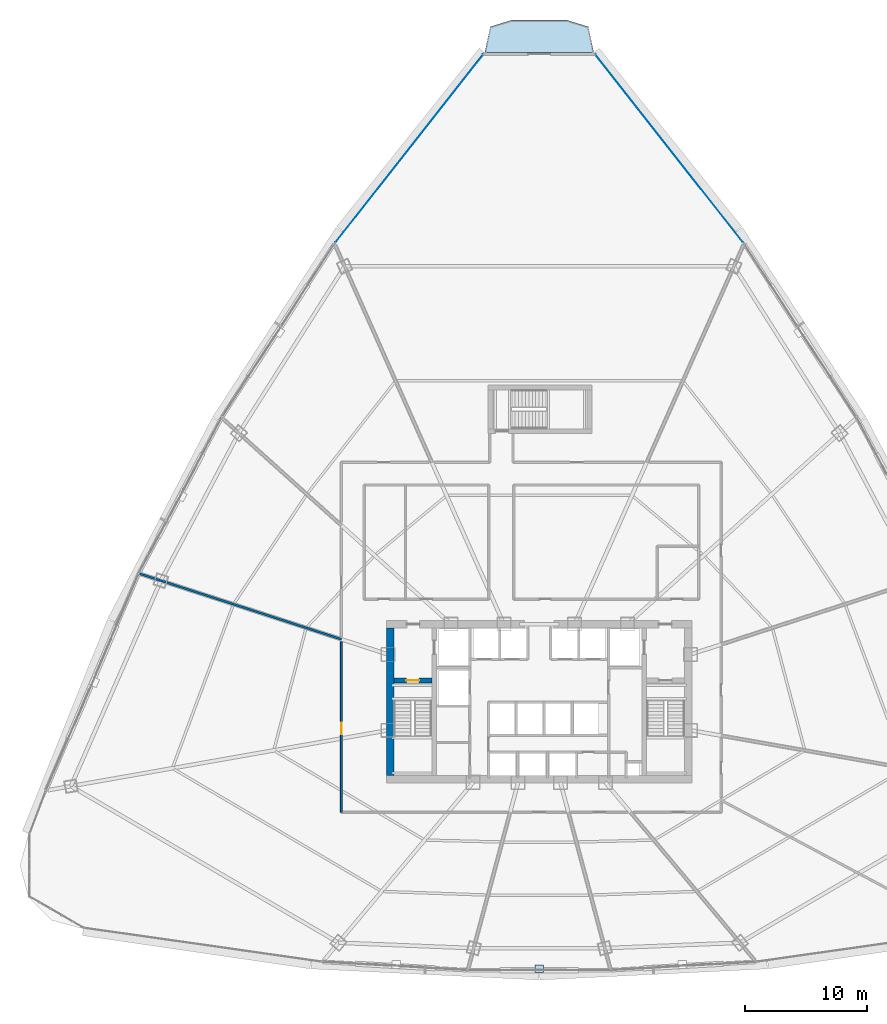
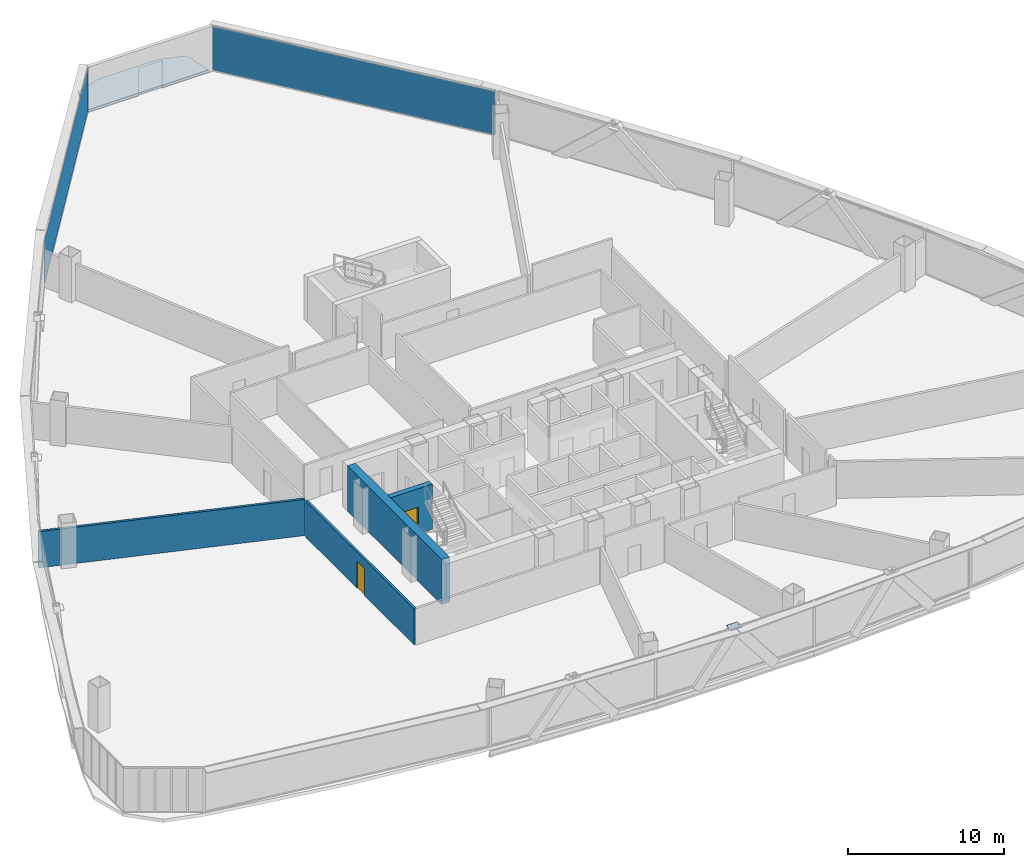
# One storey, part 31 of 39: 4 walls, 3 plates, 2 doors, 1 slab, 2 openings, 2 elements without a shape of their own.
"""IFC4 building model written with IfcOpenShell, lengths in metres."""

from ifc_helpers import new_model, si_unit, direction, frame, frame_2d, origin, origin_with_axes, origin_2d, place, context, subcontext, project, spatial, polyline, rectangle, outline, extrude, source, transform, mapped, material, layer, layer_set, type_object, element, fill, aggregate, save


model = new_model("IFC4")

# Units and contexts
model_context = context("Model", 3, precision=1e-05, world=origin(), true_north=direction((0.0, 1.0)))
body_context = subcontext(model_context, "Body", "Model", "MODEL_VIEW")
ifc_project = project(units=[si_unit("LENGTHUNIT", "METRE"), si_unit("AREAUNIT", "SQUARE_METRE"), si_unit("VOLUMEUNIT", "CUBIC_METRE"), si_unit("PLANEANGLEUNIT", "RADIAN"), si_unit("MASSUNIT", "GRAM", prefix="KILO"), si_unit("THERMODYNAMICTEMPERATUREUNIT", "KELVIN"), si_unit("POWERUNIT", "WATT")], contexts=[model_context])

# Site, building, storey
site_placement = place(None, origin())
site = spatial("IfcSite", under=ifc_project, at=site_placement, CompositionType="ELEMENT")
building_placement = place(site_placement, origin())
building = spatial("IfcBuilding", under=site, at=building_placement, Name="Yunzhuo Pagoda Commons", CompositionType="ELEMENT")
storey_placement = place(building_placement, frame((0.0, 0.0, 100.179931640625)))
storey = spatial("IfcBuildingStorey", under=building, at=storey_placement, Name="L25", CompositionType="ELEMENT", Elevation=100.179931640625)

# Slab
ifc_material_1 = material(Name="Concrete C40", Category="concrete")
ifc_layer_1 = layer(ifc_material_1, 0.199951171875)
ifc_layer_set_1 = layer_set([ifc_layer_1], Name="Concrete C40")
slab_type = type_object("IfcSlabType", Name="SL-BAL Vertex Balcony Deck Slab 200", PredefinedType="FLOOR", material=ifc_layer_set_1)
slab_placement = place(storey_placement, frame((0.0, 0.0, -0.199951171875)))
element("IfcSlab", 1, at=slab_placement, inside=storey, type_object=slab_type, Name="L25 corner balcony V3", PredefinedType="FLOOR", context=body_context, shape_type="SweptSolid", body=[
    extrude(outline(polyline([(52.46240234375, 87.039794921875), (43.53759765625, 87.039794921875), (43.987548828125, 89.134765625), (45.768798828125, 89.684814453125), (50.231201171875, 89.684814453125), (52.012451171875, 89.134765625), (52.46240234375, 87.039794921875)])), origin(), (0.0, 0.0, 1.0), 0.199951171875),
])

# Plate
ifc_material_2 = material(Name="Structural steel Q355B", Category="steel")
ifc_layer_2 = layer(ifc_material_2, 0.028076171875)
ifc_layer_set_2 = layer_set([ifc_layer_2], Name="Structural steel Q355B")
plate_type_1 = type_object("IfcPlateType", Name="SP-ND1 Lattice Node Cap Plate 800x500x28", PredefinedType="USERDEFINED", material=ifc_layer_set_2)
shared_shape_1 = source(origin(), body_context, "Body", "SweptSolid", [
    extrude(rectangle(XDim=0.699951171875, YDim=0.61376953125, at=origin_2d()), origin(), (0.0, 0.0, 1.0), 0.035888671875),
])
plate_1_placement = place(storey_placement, frame((48.0, 11.99609375, 3.501953125), z_axis=(0.0, 0.0, 1.0), x_axis=(1.0, 0.0, 0.0)))
element("IfcPlate", 2, at=plate_1_placement, inside=storey, type_object=plate_type_1, Name="L25 setback lattice tie plate F1.2L", ObjectType="STIFFENER_PLATE", PredefinedType="USERDEFINED", context=body_context, shape_type="MappedRepresentation", body=[
    mapped(shared_shape_1, transform((0.0, 0.0, 0.0), scale=1.0)),
])

# Curtain wall, plate
ifc_material_3 = material(Name="Anodized aluminium 6063-T6", Category="aluminium")
ifc_layer_3 = layer(ifc_material_3, 0.1650390625)
ifc_layer_set_3 = layer_set([ifc_layer_3], Name="Anodized aluminium 6063-T6")
curtain_wall_type = type_object("IfcCurtainWallType", Name="CW-LOW Low-Zone Ribbon Curtain Wall", PredefinedType="NOTDEFINED", material=ifc_layer_set_3)
curtain_wall_1_placement = place(storey_placement, origin())
curtain_wall_1 = element("IfcCurtainWall", 3, at=curtain_wall_1_placement, inside=storey, type_object=curtain_wall_type, Name="L25 curtain wall CW-L25-F2B5", PredefinedType="NOTDEFINED")
ifc_material_4 = material(Name="Tempered low-e double glazing", Category="glass")
ifc_layer_4 = layer(ifc_material_4, 0.028076171875)
ifc_layer_set_4 = layer_set([ifc_layer_4], Name="Tempered low-e double glazing")
plate_type_2 = type_object("IfcPlateType", Name="CW-LOW-P Low-E Double Glazing 28", PredefinedType="CURTAIN_PANEL", material=ifc_layer_set_4)
shared_shape_2 = source(origin(), body_context, "Body", "SweptSolid", [
    extrude(rectangle(XDim=19.558349609375, YDim=0.028076171875, at=origin_2d()), origin(), (0.0, 0.0, 1.0), 3.419921875),
])
plate_2_placement = place(storey_placement, frame((58.640625, 79.1650390625, 0.06005859375), z_axis=(0.0, 0.0, 1.0), x_axis=(-0.617953216301, 0.786214870416, 0.0)))
plate_2 = element("IfcPlate", 4, at=plate_2_placement, type_object=plate_type_2, Name="CW panel 1.1", PredefinedType="CURTAIN_PANEL", context=body_context, shape_type="MappedRepresentation", body=[
    mapped(shared_shape_2, transform((0.0, 0.0, 0.0), scale=1.0)),
])
aggregate(curtain_wall_1, [plate_2])

curtain_wall_2_placement = place(storey_placement, origin())
curtain_wall_2 = element("IfcCurtainWall", 5, at=curtain_wall_2_placement, inside=storey, type_object=curtain_wall_type, Name="L25 curtain wall CW-L25-F3B1", PredefinedType="NOTDEFINED")
plate_3_placement = place(storey_placement, frame((37.359375, 79.1650390625, 0.06005859375), z_axis=(0.0, 0.0, 1.0), x_axis=(-0.617953216301, -0.786214870416, 0.0)))
plate_3 = element("IfcPlate", 6, at=plate_3_placement, type_object=plate_type_2, Name="CW panel 1.1", PredefinedType="CURTAIN_PANEL", context=body_context, shape_type="MappedRepresentation", body=[
    mapped(shared_shape_2, transform((0.0, 0.0, 0.0), scale=1.0)),
])
aggregate(curtain_wall_2, [plate_3])

# Wall
ifc_material_5 = material(Name="Concrete C60", Category="concrete")
ifc_layer_5 = layer(ifc_material_5, 0.60009765625)
ifc_layer_set_5 = layer_set([ifc_layer_5], Name="Concrete C60")
wall_type_1 = type_object("IfcWallType", Name="W-C02 Mid Core Shear Wall 600", PredefinedType="SHEAR", material=ifc_layer_set_5)
wall_1_placement = place(storey_placement, frame((35.800048828125, 27.800048828125, 0.0), z_axis=(0.0, 0.0, 1.0), x_axis=(0.0, 1.0, 0.0)))
element("IfcWall", 7, at=wall_1_placement, inside=storey, type_object=wall_type_1, Name="L25 core shear wall W", PredefinedType="SHEAR", context=body_context, shape_type="SweptSolid", body=[
    extrude(rectangle(XDim=12.099853515625, YDim=0.60009765625, at=frame_2d((6.0498046875, 0.0))), origin(), (0.0, 0.0, 1.0), 3.5400390625),
])

# Wall, opening, door
ifc_material_6 = material(Name="Gypsum plasterboard on acoustic stud")
ifc_layer_6 = layer(ifc_material_6, 0.159912109375)
ifc_layer_set_6 = layer_set([ifc_layer_6], Name="Gypsum plasterboard on acoustic stud")
wall_type_2 = type_object("IfcWallType", Name="W-COR1 Tower Rated Corridor Wall 160", PredefinedType="PARTITIONING", material=ifc_layer_set_6)
wall_2_placement = place(storey_placement, frame((31.800048828125, 24.800048828125, 0.0), z_axis=(0.0, 0.0, 1.0), x_axis=(0.0, 1.0, 0.0)))
wall_2 = element("IfcWall", 8, at=wall_2_placement, inside=storey, type_object=wall_type_2, Name="L25 interior wall IW-L25-CWL01", PredefinedType="PARTITIONING", context=body_context, shape_type="SweptSolid", body=[
    extrude(rectangle(XDim=13.94384765625, YDim=0.159912109375, at=frame_2d((6.971923828125, 0.0))), origin(), (0.0, 0.0, 1.0), 2.840087890625),
])
opening_1_placement = place(wall_2_placement, frame((6.376953125, 0.0, 0.0)))
opening_1 = element("IfcOpeningElement", 9, at=opening_1_placement, cuts=wall_2, Name="Opening D-06", PredefinedType="OPENING", context=body_context, shape_type="SweptSolid", body=[
    extrude(rectangle(XDim=0.949951171875, YDim=2.10009765625, at=frame_2d((0.47509765625, 1.050048828125))), frame((0.0, 0.08984375, 0.0), z_axis=(0.0, -1.0, 0.0), x_axis=(1.0, 0.0, 0.0)), (0.0, 0.0, 1.0), 0.179931640625),
])
ifc_material_7 = material(Name="Galvanized fire-resisting metal leaf")
door_type_1 = type_object("IfcDoorType", Name="D-06 Co-Living Suite Entrance Fire Door 950x2100", OperationType="NOTDEFINED", PredefinedType="DOOR", material=ifc_material_7)
shared_shape_3 = source(origin(), body_context, "Body", "SweptSolid", [
    extrude(rectangle(XDim=0.949951171875, YDim=2.10009765625, at=frame_2d((0.47509765625, 1.050048828125))), frame((0.0, 0.02490234375, 0.0), z_axis=(0.0, -1.0, 0.0), x_axis=(1.0, 0.0, 0.0)), (0.0, 0.0, 1.0), 0.050048828125),
])
door_1_placement = place(opening_1_placement, origin_with_axes())
door_1 = element("IfcDoor", 10, at=door_1_placement, inside=storey, type_object=door_type_1, Name="L25 Resident Co-Living Commons Hall door", OperationType="SINGLE_SWING_LEFT", OverallHeight=2.10009765625, OverallWidth=0.949951171875, PredefinedType="DOOR", context=body_context, shape_type="MappedRepresentation", body=[
    mapped(shared_shape_3, transform((0.0, 0.0, 0.0), scale=1.0)),
])
fill(opening_1, door_1)

# Wall
ifc_layer_7 = layer(ifc_material_6, 0.179931640625)
ifc_layer_set_7 = layer_set([ifc_layer_7], Name="Gypsum plasterboard on acoustic stud")
wall_type_3 = type_object("IfcWallType", Name="W-PRT2 Acoustic Unit Demising Wall 180", PredefinedType="PARTITIONING", material=ifc_layer_set_7)
wall_3_placement = place(storey_placement, frame((31.800048828125, 38.963623046875, 0.0), z_axis=(0.0, 0.0, 1.0), x_axis=(-0.951055348694, 0.309020587857, 0.0)))
element("IfcWall", 11, at=wall_3_placement, inside=storey, type_object=wall_type_3, Name="L25 interior wall IW-L25-RAD05", PredefinedType="PARTITIONING", context=body_context, shape_type="SweptSolid", body=[
    extrude(rectangle(XDim=17.450439453125, YDim=0.179931640625, at=frame_2d((8.72509765625, 0.0))), origin(), (0.0, 0.0, 1.0), 2.840087890625),
])

# Wall, opening, door
ifc_layer_8 = layer(ifc_material_5, 0.39990234375)
ifc_layer_set_8 = layer_set([ifc_layer_8], Name="Concrete C60")
wall_type_4 = type_object("IfcWallType", Name="W-S01 Internal Core Shear Web 400", PredefinedType="SHEAR", material=ifc_layer_set_8)
wall_4_placement = place(storey_placement, frame((36.10009765625, 35.60009765625, 0.0), z_axis=(0.0, 0.0, 1.0), x_axis=(1.0, 0.0, 0.0)))
wall_4 = element("IfcWall", 12, at=wall_4_placement, inside=storey, type_object=wall_type_4, Name="L25 core shear wall STW", PredefinedType="SHEAR", context=body_context, shape_type="SweptSolid", body=[
    extrude(rectangle(XDim=3.099853515625, YDim=0.39990234375, at=frame_2d((1.5498046875, 0.0))), origin(), (0.0, 0.0, 1.0), 3.5400390625),
])
opening_2_placement = place(wall_4_placement, frame((1.02001953125, 0.0, 0.0)))
opening_2 = element("IfcOpeningElement", 13, at=opening_2_placement, cuts=wall_4, Name="Opening D-01", PredefinedType="OPENING", context=body_context, shape_type="SweptSolid", body=[
    extrude(rectangle(XDim=1.050048828125, YDim=2.10009765625, at=frame_2d((0.52490234375, 1.050048828125))), frame((0.0, 0.2099609375, 0.0), z_axis=(0.0, -1.0, 0.0), x_axis=(1.0, 0.0, 0.0)), (0.0, 0.0, 1.0), 0.419921875),
])
door_type_2 = type_object("IfcDoorType", Name="D-01 Smokeproof Stair Fire Door 1050x2100", OperationType="NOTDEFINED", PredefinedType="DOOR", material=ifc_material_7)
shared_shape_4 = source(origin(), body_context, "Body", "SweptSolid", [
    extrude(rectangle(XDim=1.050048828125, YDim=2.10009765625, at=frame_2d((0.52490234375, 1.050048828125))), frame((0.0, 0.02490234375, 0.0), z_axis=(0.0, -1.0, 0.0), x_axis=(1.0, 0.0, 0.0)), (0.0, 0.0, 1.0), 0.050048828125),
])
door_2_placement = place(opening_2_placement, frame((1.050048828125, 0.0, 0.0), z_axis=(0.0, 0.0, 1.0), x_axis=(-1.0, 0.0, 0.0)))
door_2 = element("IfcDoor", 14, at=door_2_placement, inside=storey, type_object=door_type_2, Name="L25 Stair ST1 fire door", OperationType="SINGLE_SWING_LEFT", OverallHeight=2.10009765625, OverallWidth=1.050048828125, PredefinedType="DOOR", context=body_context, shape_type="MappedRepresentation", body=[
    mapped(shared_shape_4, transform((0.0, 0.0, 0.0), scale=1.0)),
])
fill(opening_2, door_2)

save(model, "model.ifc")
